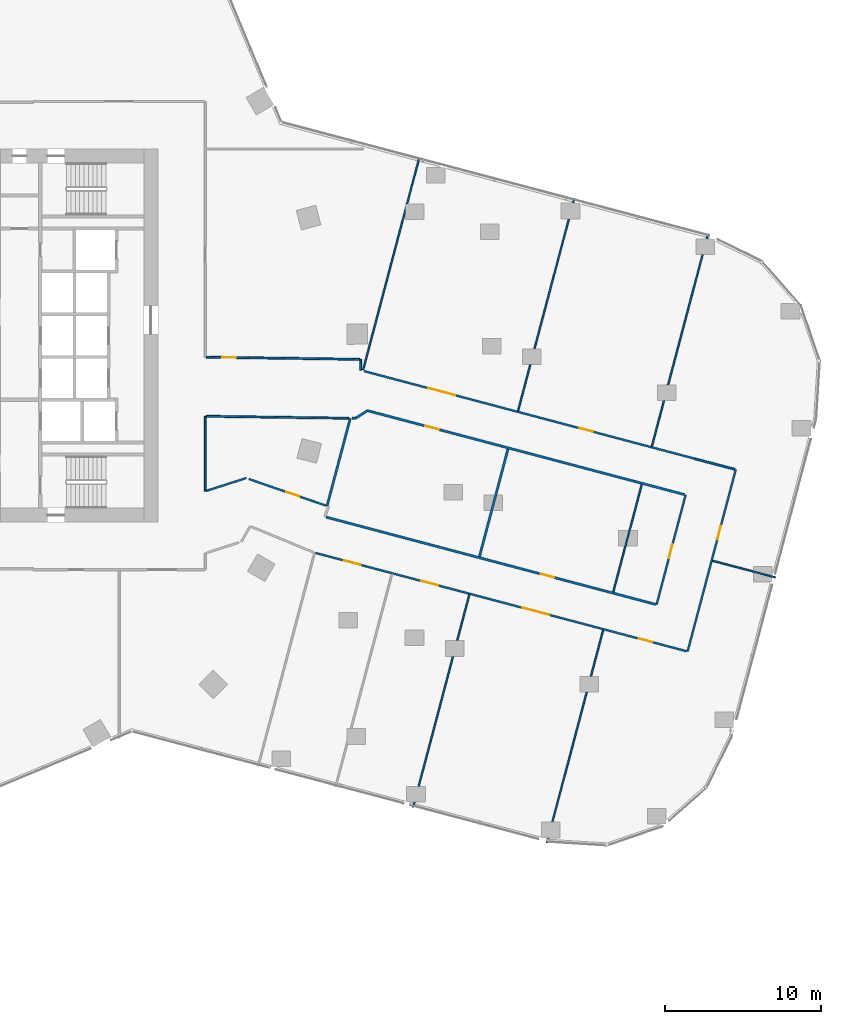
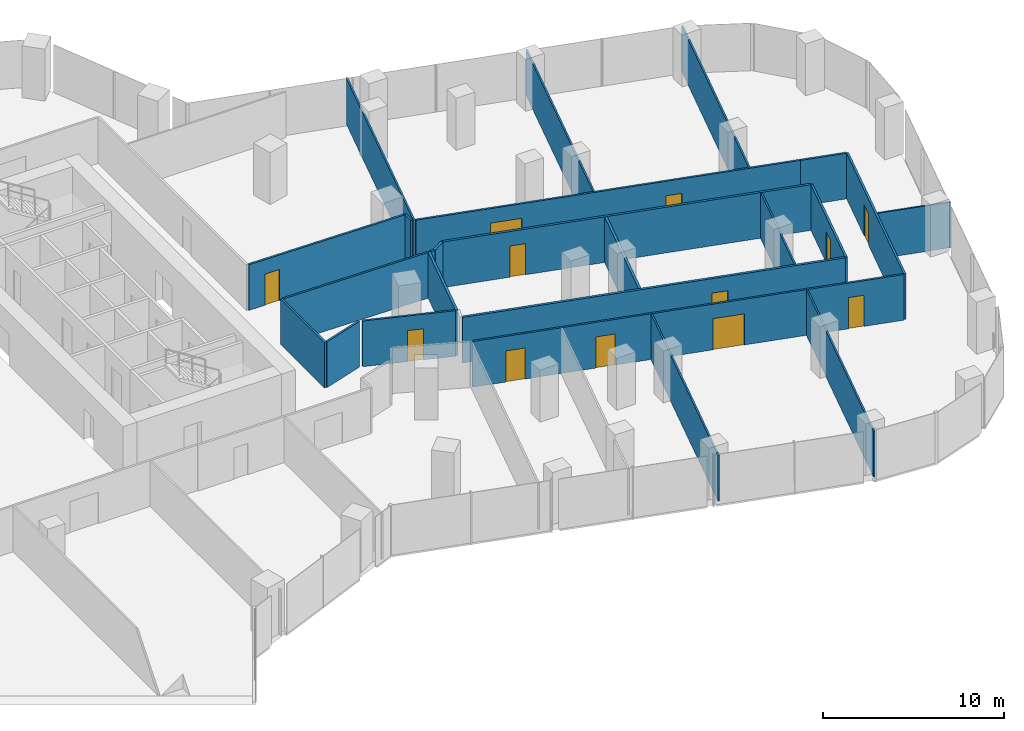
# One storey, part 29 of 34: 24 walls, 12 doors, 12 openings.
"""IFC4 building model written with IfcOpenShell, lengths in metres."""

from ifc_helpers import new_model, si_unit, direction, frame, frame_2d, origin, place, context, subcontext, project, spatial, rectangle, extrude, material, layer, layer_set, type_object, element, fill, save


model = new_model("IFC4")

# Units and contexts
model_context = context("Model", 3, precision=1e-05, world=origin(), true_north=direction((0.0, 1.0)))
body_context = subcontext(model_context, "Body", "Model", "MODEL_VIEW")
ifc_project = project(units=[si_unit("LENGTHUNIT", "METRE"), si_unit("AREAUNIT", "SQUARE_METRE"), si_unit("VOLUMEUNIT", "CUBIC_METRE"), si_unit("PLANEANGLEUNIT", "RADIAN"), si_unit("MASSUNIT", "GRAM", prefix="KILO")], contexts=[model_context])

# Site, building, storey
site_placement = place(None, origin())
site = spatial("IfcSite", under=ifc_project, at=site_placement, CompositionType="ELEMENT")
building_placement = place(site_placement, origin())
building = spatial("IfcBuilding", under=site, at=building_placement, Name="Orlundy Tower", CompositionType="ELEMENT")
storey_placement = place(building_placement, frame((0.0, 0.0, 112.699951171875)))
storey = spatial("IfcBuildingStorey", under=building, at=storey_placement, Name="L28", CompositionType="ELEMENT", Elevation=112.699951171875)

# Walls
ifc_material_1 = material(Name="Gypsum board partition")
ifc_layer_1 = layer(ifc_material_1, 0.10009765625)
ifc_layer_set_1 = layer_set([ifc_layer_1], Name="Floor partition 100")
wall_type_1 = type_object("IfcWallType", Name="Floor partition 100", PredefinedType="PARTITIONING", material=ifc_layer_set_1)
wall_1_placement = place(storey_placement, frame((54.677978515625, -14.47998046875, 0.0), z_axis=(0.0, 0.0, 1.0), x_axis=(0.966677650958, -0.255996717047, 0.0)))
element("IfcWall", 1, at=wall_1_placement, inside=storey, type_object=wall_type_1, Name="wall-int-L28-023", PredefinedType="PARTITIONING", context=body_context, shape_type="SweptSolid", body=[
    extrude(rectangle(XDim=4.187744140625, YDim=0.10009765625, at=frame_2d((2.09375, 0.0))), origin(), (0.0, 0.0, 1.0), 3.080078125),
])
wall_2_placement = place(storey_placement, frame((44.01904296875, -32.60595703125, 0.0), z_axis=(0.0, 0.0, 1.0), x_axis=(0.25603399679, 0.966667777723, 0.0)))
element("IfcWall", 2, at=wall_2_placement, inside=storey, type_object=wall_type_1, Name="wall-int-L28-059", PredefinedType="PARTITIONING", context=body_context, shape_type="SweptSolid", body=[
    extrude(rectangle(XDim=14.13818359375, YDim=0.10009765625, at=frame_2d((7.069091796875, 0.0))), origin(), (0.0, 0.0, 1.0), 3.080078125),
])
wall_3_placement = place(storey_placement, frame((48.2880859375, -16.487060546875, 0.0), z_axis=(0.0, 0.0, 1.0), x_axis=(0.256040833757, 0.966665966841, 0.0)))
element("IfcWall", 3, at=wall_3_placement, inside=storey, type_object=wall_type_1, Name="wall-int-L28-060", PredefinedType="PARTITIONING", context=body_context, shape_type="SweptSolid", body=[
    extrude(rectangle(XDim=7.150390625, YDim=0.10009765625, at=frame_2d((3.5751953125, 0.0))), origin(), (0.0, 0.0, 1.0), 3.080078125),
])
wall_4_placement = place(storey_placement, frame((50.76904296875, -7.1220703125, 0.0), z_axis=(0.0, 0.0, 1.0), x_axis=(0.255986543434, 0.966680345089, 0.0)))
element("IfcWall", 4, at=wall_4_placement, inside=storey, type_object=wall_type_1, Name="wall-int-L28-061", PredefinedType="PARTITIONING", context=body_context, shape_type="SweptSolid", body=[
    extrude(rectangle(XDim=14.136962890625, YDim=0.10009765625, at=frame_2d((7.068359375, 0.0))), origin(), (0.0, 0.0, 1.0), 3.080078125),
])
wall_5_placement = place(storey_placement, frame((35.4169921875, -30.327880859375, 0.0), z_axis=(0.0, 0.0, 1.0), x_axis=(0.255904901066, 0.966701961108, 0.0)))
element("IfcWall", 5, at=wall_5_placement, inside=storey, type_object=wall_type_1, Name="wall-int-L28-062", PredefinedType="PARTITIONING", context=body_context, shape_type="SweptSolid", body=[
    extrude(rectangle(XDim=14.1376953125, YDim=0.10009765625, at=frame_2d((7.06884765625, 0.0))), origin(), (0.0, 0.0, 1.0), 3.080078125),
])
wall_6_placement = place(storey_placement, frame((42.1650390625, -4.843017578125, 0.0), z_axis=(0.0, 0.0, 1.0), x_axis=(0.255986543434, 0.966680345089, 0.0)))
element("IfcWall", 6, at=wall_6_placement, inside=storey, type_object=wall_type_1, Name="wall-int-L28-064", PredefinedType="PARTITIONING", context=body_context, shape_type="SweptSolid", body=[
    extrude(rectangle(XDim=14.136962890625, YDim=0.10009765625, at=frame_2d((7.068359375, 0.0))), origin(), (0.0, 0.0, 1.0), 3.080078125),
])
wall_7_placement = place(storey_placement, frame((32.201904296875, -2.205078125, 0.0), z_axis=(0.0, 0.0, 1.0), x_axis=(0.256002681219, 0.966676071499, 0.0)))
element("IfcWall", 7, at=wall_7_placement, inside=storey, type_object=wall_type_1, Name="wall-int-L28-068", PredefinedType="PARTITIONING", context=body_context, shape_type="SweptSolid", body=[
    extrude(rectangle(XDim=14.13720703125, YDim=0.10009765625, at=frame_2d((7.068603515625, 0.0))), origin(), (0.0, 0.0, 1.0), 3.080078125),
])

# Wall, opening, door
ifc_material_2 = material(Name="Gypsum board partition, double layer")
ifc_layer_2 = layer(ifc_material_2, 0.125)
ifc_layer_set_2 = layer_set([ifc_layer_2], Name="Floor partition 125")
wall_type_2 = type_object("IfcWallType", Name="Floor partition 125", PredefinedType="PARTITIONING", material=ifc_layer_set_2)
wall_8_placement = place(storey_placement, frame((24.85888671875, -9.22509765625, 0.0), z_axis=(0.0, 0.0, 1.0), x_axis=(0.945256069843, -0.326329530421, 0.0)))
wall_8 = element("IfcWall", 8, at=wall_8_placement, inside=storey, type_object=wall_type_2, Name="wall-int-L28-019", PredefinedType="PARTITIONING", context=body_context, shape_type="SweptSolid", body=[
    extrude(rectangle(XDim=5.239990234375, YDim=0.125, at=frame_2d((2.6201171875, 0.0))), origin(), (0.0, 0.0, 1.0), 3.080078125),
])
opening_1_placement = place(wall_8_placement, frame((2.53271484375, 0.0, 0.0)))
opening_1 = element("IfcOpeningElement", 9, at=opening_1_placement, cuts=wall_8, Name="Opening 21126", PredefinedType="OPENING", context=body_context, shape_type="SweptSolid", body=[
    extrude(rectangle(XDim=0.89990234375, YDim=2.10009765625, at=frame_2d((0.449951171875, 1.050048828125))), frame((0.0, 0.072509765625, 0.0), z_axis=(0.0, -1.0, 0.0), x_axis=(1.0, 0.0, 0.0)), (0.0, 0.0, 1.0), 0.14501953125),
])
ifc_material_3 = material(Name="Timber door leaf", Category="wood")
door_type_1 = type_object("IfcDoorType", Name="Floor door single 900 FD30S", OperationType="NOTDEFINED", PredefinedType="DOOR", material=ifc_material_3)
door_1_placement = place(opening_1_placement, origin())
door_1 = element("IfcDoor", 10, at=door_1_placement, inside=storey, type_object=door_type_1, Name="Door 21126", OperationType="SINGLE_SWING_RIGHT", OverallHeight=2.10009765625, OverallWidth=0.89990234375, PredefinedType="DOOR", context=body_context, shape_type="SweptSolid", body=[
    extrude(rectangle(XDim=0.89990234375, YDim=2.10009765625, at=frame_2d((0.449951171875, 1.050048828125))), frame((0.0, 0.02490234375, 0.0), z_axis=(0.0, -1.0, 0.0), x_axis=(1.0, 0.0, 0.0)), (0.0, 0.0, 1.0), 0.050048828125),
])
fill(opening_1, door_1)

# Wall
wall_9_placement = place(storey_placement, frame((56.10595703125, -8.60009765625, 0.0), z_axis=(0.0, 0.0, 1.0), x_axis=(-0.966610224472, 0.256251193065, 0.0)))
element("IfcWall", 11, at=wall_9_placement, inside=storey, type_object=wall_type_2, Name="wall-int-L28-020", PredefinedType="PARTITIONING", context=body_context, shape_type="SweptSolid", body=[
    extrude(rectangle(XDim=2.63818359375, YDim=0.125, at=frame_2d((1.319091796875, 0.0))), origin(), (0.0, 0.0, 1.0), 3.080078125),
])

# Wall, openings, doors
wall_10_placement = place(storey_placement, frame((53.007080078125, -20.299072265625, 0.0), z_axis=(0.0, 0.0, 1.0), x_axis=(-0.966653562273, 0.256087661835, 0.0)))
wall_10 = element("IfcWall", 12, at=wall_10_placement, inside=storey, type_object=wall_type_2, Name="wall-int-L28-021", PredefinedType="PARTITIONING", context=body_context, shape_type="SweptSolid", body=[
    extrude(rectangle(XDim=24.694580078125, YDim=0.125, at=frame_2d((12.34716796875, 0.0))), origin(), (0.0, 0.0, 1.0), 3.080078125),
])
opening_2_placement = place(wall_10_placement, frame((2.287353515625, 0.0, 0.0)))
opening_2 = element("IfcOpeningElement", 13, at=opening_2_placement, cuts=wall_10, Name="Opening 21106", PredefinedType="OPENING", context=body_context, shape_type="SweptSolid", body=[
    extrude(rectangle(XDim=0.89990234375, YDim=2.10009765625, at=frame_2d((0.449951171875, 1.050048828125))), frame((0.0, 0.072509765625, 0.0), z_axis=(0.0, -1.0, 0.0), x_axis=(1.0, 0.0, 0.0)), (0.0, 0.0, 1.0), 0.14501953125),
])
opening_3_placement = place(wall_10_placement, frame((21.690185546875, 0.0, 0.0)))
opening_3 = element("IfcOpeningElement", 14, at=opening_3_placement, cuts=wall_10, Name="Opening 21107", PredefinedType="OPENING", context=body_context, shape_type="SweptSolid", body=[
    extrude(rectangle(XDim=1.10009765625, YDim=2.10009765625, at=frame_2d((0.550048828125, 1.050048828125))), frame((0.0, 0.072509765625, 0.0), z_axis=(0.0, -1.0, 0.0), x_axis=(1.0, 0.0, 0.0)), (0.0, 0.0, 1.0), 0.14501953125),
])
opening_4_placement = place(wall_10_placement, frame((16.53759765625, 0.0, 0.0)))
opening_4 = element("IfcOpeningElement", 15, at=opening_4_placement, cuts=wall_10, Name="Opening 21108", PredefinedType="OPENING", context=body_context, shape_type="SweptSolid", body=[
    extrude(rectangle(XDim=1.10009765625, YDim=2.10009765625, at=frame_2d((0.550048828125, 1.050048828125))), frame((0.0, 0.072509765625, 0.0), z_axis=(0.0, -1.0, 0.0), x_axis=(1.0, 0.0, 0.0)), (0.0, 0.0, 1.0), 0.14501953125),
])
opening_5_placement = place(wall_10_placement, frame((9.136962890625, 0.0, 0.0)))
opening_5 = element("IfcOpeningElement", 16, at=opening_5_placement, cuts=wall_10, Name="Opening 21109", PredefinedType="OPENING", context=body_context, shape_type="SweptSolid", body=[
    extrude(rectangle(XDim=1.800048828125, YDim=2.10009765625, at=frame_2d((0.89990234375, 1.050048828125))), frame((0.0, 0.072509765625, 0.0), z_axis=(0.0, -1.0, 0.0), x_axis=(1.0, 0.0, 0.0)), (0.0, 0.0, 1.0), 0.14501953125),
])
ifc_material_4 = material(Name="Timber door leaf", Category="wood")
door_type_2 = type_object("IfcDoorType", Name="Floor door double 1800 FD30S", OperationType="NOTDEFINED", PredefinedType="DOOR", material=ifc_material_4)
door_2_placement = place(opening_5_placement, origin())
door_2 = element("IfcDoor", 17, at=door_2_placement, inside=storey, type_object=door_type_2, Name="Door 21109", OperationType="DOUBLE_DOOR_SINGLE_SWING", OverallHeight=2.10009765625, OverallWidth=1.800048828125, PredefinedType="DOOR", context=body_context, shape_type="SweptSolid", body=[
    extrude(rectangle(XDim=1.800048828125, YDim=2.10009765625, at=frame_2d((0.89990234375, 1.050048828125))), frame((0.0, 0.02490234375, 0.0), z_axis=(0.0, -1.0, 0.0), x_axis=(1.0, 0.0, 0.0)), (0.0, 0.0, 1.0), 0.050048828125),
])
fill(opening_5, door_2)
door_3_placement = place(opening_2_placement, origin())
door_3 = element("IfcDoor", 18, at=door_3_placement, inside=storey, type_object=door_type_1, Name="Door 21106", OperationType="SINGLE_SWING_LEFT", OverallHeight=2.10009765625, OverallWidth=0.89990234375, PredefinedType="DOOR", context=body_context, shape_type="SweptSolid", body=[
    extrude(rectangle(XDim=0.89990234375, YDim=2.10009765625, at=frame_2d((0.449951171875, 1.050048828125))), frame((0.0, 0.02490234375, 0.0), z_axis=(0.0, -1.0, 0.0), x_axis=(1.0, 0.0, 0.0)), (0.0, 0.0, 1.0), 0.050048828125),
])
fill(opening_2, door_3)
ifc_material_5 = material(Name="Timber door leaf", Category="wood")
door_type_3 = type_object("IfcDoorType", Name="Floor door xwide 1100 FD30S", OperationType="NOTDEFINED", PredefinedType="DOOR", material=ifc_material_5)
door_4_placement = place(opening_3_placement, origin())
door_4 = element("IfcDoor", 19, at=door_4_placement, inside=storey, type_object=door_type_3, Name="Door 21107", OperationType="SINGLE_SWING_RIGHT", OverallHeight=2.10009765625, OverallWidth=1.10009765625, PredefinedType="DOOR", context=body_context, shape_type="SweptSolid", body=[
    extrude(rectangle(XDim=1.10009765625, YDim=2.10009765625, at=frame_2d((0.550048828125, 1.050048828125))), frame((0.0, 0.02490234375, 0.0), z_axis=(0.0, -1.0, 0.0), x_axis=(1.0, 0.0, 0.0)), (0.0, 0.0, 1.0), 0.050048828125),
])
fill(opening_3, door_4)
door_5_placement = place(opening_4_placement, origin())
door_5 = element("IfcDoor", 20, at=door_5_placement, inside=storey, type_object=door_type_3, Name="Door 21108", OperationType="SINGLE_SWING_RIGHT", OverallHeight=2.10009765625, OverallWidth=1.10009765625, PredefinedType="DOOR", context=body_context, shape_type="SweptSolid", body=[
    extrude(rectangle(XDim=1.10009765625, YDim=2.10009765625, at=frame_2d((0.550048828125, 1.050048828125))), frame((0.0, 0.02490234375, 0.0), z_axis=(0.0, -1.0, 0.0), x_axis=(1.0, 0.0, 0.0)), (0.0, 0.0, 1.0), 0.050048828125),
])
fill(opening_4, door_5)

wall_11_placement = place(storey_placement, frame((32.262939453125, -2.285888671875, 0.0), z_axis=(0.0, 0.0, 1.0), x_axis=(0.966698776393, -0.255916931288, 0.0)))
wall_11 = element("IfcWall", 21, at=wall_11_placement, inside=storey, type_object=wall_type_2, Name="wall-int-L28-025", PredefinedType="PARTITIONING", context=body_context, shape_type="SweptSolid", body=[
    extrude(rectangle(XDim=22.027587890625, YDim=0.125, at=frame_2d((11.013671875, 0.0))), origin(), (0.0, 0.0, 1.0), 3.080078125),
])
opening_6_placement = place(wall_11_placement, frame((4.27001953125, 0.0, 0.0)))
opening_6 = element("IfcOpeningElement", 22, at=opening_6_placement, cuts=wall_11, Name="Opening 21100", PredefinedType="OPENING", context=body_context, shape_type="SweptSolid", body=[
    extrude(rectangle(XDim=1.800048828125, YDim=2.10009765625, at=frame_2d((0.89990234375, 1.050048828125))), frame((0.0, 0.072509765625, 0.0), z_axis=(0.0, -1.0, 0.0), x_axis=(1.0, 0.0, 0.0)), (0.0, 0.0, 1.0), 0.14501953125),
])
opening_7_placement = place(wall_11_placement, frame((14.326171875, 0.0, 0.0)))
opening_7 = element("IfcOpeningElement", 23, at=opening_7_placement, cuts=wall_11, Name="Opening 21101", PredefinedType="OPENING", context=body_context, shape_type="SweptSolid", body=[
    extrude(rectangle(XDim=0.89990234375, YDim=2.10009765625, at=frame_2d((0.449951171875, 1.050048828125))), frame((0.0, 0.072509765625, 0.0), z_axis=(0.0, -1.0, 0.0), x_axis=(1.0, 0.0, 0.0)), (0.0, 0.0, 1.0), 0.14501953125),
])
door_6_placement = place(opening_6_placement, origin())
door_6 = element("IfcDoor", 24, at=door_6_placement, inside=storey, type_object=door_type_2, Name="Door 21100", OperationType="DOUBLE_DOOR_SINGLE_SWING", OverallHeight=2.10009765625, OverallWidth=1.800048828125, PredefinedType="DOOR", context=body_context, shape_type="SweptSolid", body=[
    extrude(rectangle(XDim=1.800048828125, YDim=2.10009765625, at=frame_2d((0.89990234375, 1.050048828125))), frame((0.0, 0.02490234375, 0.0), z_axis=(0.0, -1.0, 0.0), x_axis=(1.0, 0.0, 0.0)), (0.0, 0.0, 1.0), 0.050048828125),
])
fill(opening_6, door_6)
door_7_placement = place(opening_7_placement, origin())
door_7 = element("IfcDoor", 25, at=door_7_placement, inside=storey, type_object=door_type_1, Name="Door 21101", OperationType="SINGLE_SWING_RIGHT", OverallHeight=2.10009765625, OverallWidth=0.89990234375, PredefinedType="DOOR", context=body_context, shape_type="SweptSolid", body=[
    extrude(rectangle(XDim=0.89990234375, YDim=2.10009765625, at=frame_2d((0.449951171875, 1.050048828125))), frame((0.0, 0.02490234375, 0.0), z_axis=(0.0, -1.0, 0.0), x_axis=(1.0, 0.0, 0.0)), (0.0, 0.0, 1.0), 0.050048828125),
])
fill(opening_7, door_7)

# Wall
wall_12_placement = place(storey_placement, frame((22.113037109375, -5.18896484375, 0.0), z_axis=(0.0, 0.0, 1.0), x_axis=(0.99990421927, -0.013840241536, 0.0)))
element("IfcWall", 26, at=wall_12_placement, inside=storey, type_object=wall_type_2, Name="wall-int-L28-029", PredefinedType="PARTITIONING", context=body_context, shape_type="SweptSolid", body=[
    extrude(rectangle(XDim=9.1728515625, YDim=0.125, at=frame_2d((4.58642578125, 0.0))), origin(), (0.0, 0.0, 1.0), 3.080078125),
])

# Wall, opening, door
wall_13_placement = place(storey_placement, frame((22.113037109375, -1.386962890625, 0.0), z_axis=(0.0, 0.0, 1.0), x_axis=(0.999897954627, -0.01428566882, 0.0)))
wall_13 = element("IfcWall", 27, at=wall_13_placement, inside=storey, type_object=wall_type_2, Name="wall-int-L28-030", PredefinedType="PARTITIONING", context=body_context, shape_type="SweptSolid", body=[
    extrude(rectangle(XDim=9.8779296875, YDim=0.125, at=frame_2d((4.93896484375, 0.0))), origin(), (0.0, 0.0, 1.0), 3.080078125),
])
opening_8_placement = place(wall_13_placement, frame((1.03759765625, 0.0, 0.0)))
opening_8 = element("IfcOpeningElement", 28, at=opening_8_placement, cuts=wall_13, Name="Opening 21128", PredefinedType="OPENING", context=body_context, shape_type="SweptSolid", body=[
    extrude(rectangle(XDim=0.89990234375, YDim=2.10009765625, at=frame_2d((0.449951171875, 1.050048828125))), frame((0.0, 0.072509765625, 0.0), z_axis=(0.0, -1.0, 0.0), x_axis=(1.0, 0.0, 0.0)), (0.0, 0.0, 1.0), 0.14501953125),
])
door_8_placement = place(opening_8_placement, origin())
door_8 = element("IfcDoor", 29, at=door_8_placement, inside=storey, type_object=door_type_1, Name="Door 21128", OperationType="SINGLE_SWING_LEFT", OverallHeight=2.10009765625, OverallWidth=0.89990234375, PredefinedType="DOOR", context=body_context, shape_type="SweptSolid", body=[
    extrude(rectangle(XDim=0.89990234375, YDim=2.10009765625, at=frame_2d((0.449951171875, 1.050048828125))), frame((0.0, 0.02490234375, 0.0), z_axis=(0.0, -1.0, 0.0), x_axis=(1.0, 0.0, 0.0)), (0.0, 0.0, 1.0), 0.050048828125),
])
fill(opening_8, door_8)

# Wall
wall_14_placement = place(storey_placement, frame((22.133056640625, -9.98095703125, 0.0), z_axis=(0.0, 0.0, 1.0), x_axis=(0.952218321785, 0.305418184882, 0.0)))
element("IfcWall", 30, at=wall_14_placement, inside=storey, type_object=wall_type_2, Name="wall-int-L28-044", PredefinedType="PARTITIONING", context=body_context, shape_type="SweptSolid", body=[
    extrude(rectangle(XDim=2.674560546875, YDim=0.125, at=frame_2d((1.33740234375, 0.0))), origin(), (0.0, 0.0, 1.0), 3.080078125),
])

# Wall, opening, door
wall_15_placement = place(storey_placement, frame((56.1650390625, -8.615966796875, 0.0), z_axis=(0.0, 0.0, 1.0), x_axis=(-0.255867603739, -0.966711833669, 0.0)))
wall_15 = element("IfcWall", 31, at=wall_15_placement, inside=storey, type_object=wall_type_2, Name="wall-int-L28-057", PredefinedType="PARTITIONING", context=body_context, shape_type="SweptSolid", body=[
    extrude(rectangle(XDim=12.099853515625, YDim=0.125, at=frame_2d((6.0498046875, 0.0))), origin(), (0.0, 0.0, 1.0), 3.080078125),
])
opening_9_placement = place(wall_15_placement, frame((3.75, 0.0, 0.0)))
opening_9 = element("IfcOpeningElement", 32, at=opening_9_placement, cuts=wall_15, Name="Opening 21105", PredefinedType="OPENING", context=body_context, shape_type="SweptSolid", body=[
    extrude(rectangle(XDim=0.89990234375, YDim=2.10009765625, at=frame_2d((0.449951171875, 1.050048828125))), frame((0.0, 0.072509765625, 0.0), z_axis=(0.0, -1.0, 0.0), x_axis=(1.0, 0.0, 0.0)), (0.0, 0.0, 1.0), 0.14501953125),
])
door_9_placement = place(opening_9_placement, origin())
door_9 = element("IfcDoor", 33, at=door_9_placement, inside=storey, type_object=door_type_1, Name="Door 21105", OperationType="SINGLE_SWING_LEFT", OverallHeight=2.10009765625, OverallWidth=0.89990234375, PredefinedType="DOOR", context=body_context, shape_type="SweptSolid", body=[
    extrude(rectangle(XDim=0.89990234375, YDim=2.10009765625, at=frame_2d((0.449951171875, 1.050048828125))), frame((0.0, 0.02490234375, 0.0), z_axis=(0.0, -1.0, 0.0), x_axis=(1.0, 0.0, 0.0)), (0.0, 0.0, 1.0), 0.050048828125),
])
fill(opening_9, door_9)

wall_16_placement = place(storey_placement, frame((51.072021484375, -17.301025390625, 0.0), z_axis=(0.0, 0.0, 1.0), x_axis=(0.256040569916, 0.966666036725, 0.0)))
wall_16 = element("IfcWall", 34, at=wall_16_placement, inside=storey, type_object=wall_type_2, Name="wall-int-L28-058", PredefinedType="PARTITIONING", context=body_context, shape_type="SweptSolid", body=[
    extrude(rectangle(XDim=7.29931640625, YDim=0.125, at=frame_2d((3.649658203125, 0.0))), origin(), (0.0, 0.0, 1.0), 3.080078125),
])
opening_10_placement = place(wall_16_placement, frame((3.10009765625, 0.0, 0.0)))
opening_10 = element("IfcOpeningElement", 35, at=opening_10_placement, cuts=wall_16, Name="Opening 21104", PredefinedType="OPENING", context=body_context, shape_type="SweptSolid", body=[
    extrude(rectangle(XDim=0.89990234375, YDim=2.10009765625, at=frame_2d((0.449951171875, 1.050048828125))), frame((0.0, 0.072509765625, 0.0), z_axis=(0.0, -1.0, 0.0), x_axis=(1.0, 0.0, 0.0)), (0.0, 0.0, 1.0), 0.14501953125),
])
door_10_placement = place(opening_10_placement, origin())
door_10 = element("IfcDoor", 36, at=door_10_placement, inside=storey, type_object=door_type_1, Name="Door 21104", OperationType="SINGLE_SWING_LEFT", OverallHeight=2.10009765625, OverallWidth=0.89990234375, PredefinedType="DOOR", context=body_context, shape_type="SweptSolid", body=[
    extrude(rectangle(XDim=0.89990234375, YDim=2.10009765625, at=frame_2d((0.449951171875, 1.050048828125))), frame((0.0, 0.02490234375, 0.0), z_axis=(0.0, -1.0, 0.0), x_axis=(1.0, 0.0, 0.0)), (0.0, 0.0, 1.0), 0.050048828125),
])
fill(opening_10, door_10)

# Walls
wall_17_placement = place(storey_placement, frame((32.0439453125, -2.22705078125, 0.0), z_axis=(0.0, 0.0, 1.0), x_axis=(0.01290440153, 0.999916734744, 0.0)))
element("IfcWall", 37, at=wall_17_placement, inside=storey, type_object=wall_type_2, Name="wall-int-L28-072", PredefinedType="PARTITIONING", context=body_context, shape_type="SweptSolid", body=[
    extrude(rectangle(XDim=0.699951171875, YDim=0.125, at=frame_2d((0.35009765625, 0.0))), origin(), (0.0, 0.0, 1.0), 3.080078125),
])
wall_18_placement = place(storey_placement, frame((22.051025390625, -10.007080078125, 0.0), z_axis=(0.0, 0.0, 1.0), x_axis=(0.0, 1.0, 0.0)))
element("IfcWall", 38, at=wall_18_placement, inside=storey, type_object=wall_type_2, Name="wall-int-L28-074", PredefinedType="PARTITIONING", context=body_context, shape_type="SweptSolid", body=[
    extrude(rectangle(XDim=4.819091796875, YDim=0.125, at=frame_2d((2.40966796875, 0.0))), origin(), (0.0, 0.0, 1.0), 3.080078125),
])

# Wall, opening, door
ifc_material_6 = material(Name="Blockwork shaft wall", Category="masonry")
ifc_layer_3 = layer(ifc_material_6, 0.14990234375)
ifc_layer_set_3 = layer_set([ifc_layer_3], Name="Floor shaft wall 150")
wall_type_3 = type_object("IfcWallType", Name="Floor shaft wall 150", PredefinedType="PARTITIONING", material=ifc_layer_set_3)
wall_19_placement = place(storey_placement, frame((29.819091796875, -11.672119140625, 0.0), z_axis=(0.0, 0.0, 1.0), x_axis=(0.966680429276, -0.255986225517, 0.0)))
wall_19 = element("IfcWall", 39, at=wall_19_placement, inside=storey, type_object=wall_type_3, Name="wall-int-L28-022", PredefinedType="PARTITIONING", context=body_context, shape_type="SweptSolid", body=[
    extrude(rectangle(XDim=21.92236328125, YDim=0.14990234375, at=frame_2d((10.961181640625, 0.0))), origin(), (0.0, 0.0, 1.0), 3.080078125),
])
opening_11_placement = place(wall_19_placement, frame((14.286865234375, 0.0, 0.0)))
opening_11 = element("IfcOpeningElement", 40, at=opening_11_placement, cuts=wall_19, Name="Opening 21103", PredefinedType="OPENING", context=body_context, shape_type="SweptSolid", body=[
    extrude(rectangle(XDim=0.89990234375, YDim=2.10009765625, at=frame_2d((0.449951171875, 1.050048828125))), frame((0.0, 0.0849609375, 0.0), z_axis=(0.0, -1.0, 0.0), x_axis=(1.0, 0.0, 0.0)), (0.0, 0.0, 1.0), 0.169921875),
])
ifc_material_7 = material(Name="Timber door leaf", Category="wood")
door_type_4 = type_object("IfcDoorType", Name="Floor door single 900 FD60", OperationType="NOTDEFINED", PredefinedType="DOOR", material=ifc_material_7)
door_11_placement = place(opening_11_placement, origin())
door_11 = element("IfcDoor", 41, at=door_11_placement, inside=storey, type_object=door_type_4, Name="Door 21103", OperationType="SINGLE_SWING_RIGHT", OverallHeight=2.10009765625, OverallWidth=0.89990234375, PredefinedType="DOOR", context=body_context, shape_type="SweptSolid", body=[
    extrude(rectangle(XDim=0.89990234375, YDim=2.10009765625, at=frame_2d((0.449951171875, 1.050048828125))), frame((0.0, 0.02490234375, 0.0), z_axis=(0.0, -1.0, 0.0), x_axis=(1.0, 0.0, 0.0)), (0.0, 0.0, 1.0), 0.050048828125),
])
fill(opening_11, door_11)

wall_20_placement = place(storey_placement, frame((52.881103515625, -10.22802734375, 0.0), z_axis=(0.0, 0.0, 1.0), x_axis=(-0.966683420864, 0.255974928122, 0.0)))
wall_20 = element("IfcWall", 42, at=wall_20_placement, inside=storey, type_object=wall_type_3, Name="wall-int-L28-024", PredefinedType="PARTITIONING", context=body_context, shape_type="SweptSolid", body=[
    extrude(rectangle(XDim=21.10009765625, YDim=0.14990234375, at=frame_2d((10.550048828125, 0.0))), origin(), (0.0, 0.0, 1.0), 3.080078125),
])
opening_12_placement = place(wall_20_placement, frame((16.3369140625, 0.0, 0.0)))
opening_12 = element("IfcOpeningElement", 43, at=opening_12_placement, cuts=wall_20, Name="Opening 21102", PredefinedType="OPENING", context=body_context, shape_type="SweptSolid", body=[
    extrude(rectangle(XDim=0.89990234375, YDim=2.10009765625, at=frame_2d((0.449951171875, 1.050048828125))), frame((0.0, 0.0849609375, 0.0), z_axis=(0.0, -1.0, 0.0), x_axis=(1.0, 0.0, 0.0)), (0.0, 0.0, 1.0), 0.169921875),
])
door_12_placement = place(opening_12_placement, origin())
door_12 = element("IfcDoor", 44, at=door_12_placement, inside=storey, type_object=door_type_4, Name="Door 21102", OperationType="SINGLE_SWING_RIGHT", OverallHeight=2.10009765625, OverallWidth=0.89990234375, PredefinedType="DOOR", context=body_context, shape_type="SweptSolid", body=[
    extrude(rectangle(XDim=0.89990234375, YDim=2.10009765625, at=frame_2d((0.449951171875, 1.050048828125))), frame((0.0, 0.02490234375, 0.0), z_axis=(0.0, -1.0, 0.0), x_axis=(1.0, 0.0, 0.0)), (0.0, 0.0, 1.0), 0.050048828125),
])
fill(opening_12, door_12)

# Walls
wall_21_placement = place(storey_placement, frame((31.472900390625, -5.320068359375, 0.0), z_axis=(0.0, 0.0, 1.0), x_axis=(0.999857302277, -0.016893048402, 0.0)))
element("IfcWall", 45, at=wall_21_placement, inside=storey, type_object=wall_type_3, Name="wall-int-L28-028", PredefinedType="PARTITIONING", context=body_context, shape_type="SweptSolid", body=[
    extrude(rectangle(XDim=0.231201171875, YDim=0.14990234375, at=frame_2d((0.11572265625, 0.0))), origin(), (0.0, 0.0, 1.0), 3.080078125),
])
wall_22_placement = place(storey_placement, frame((39.68505859375, -14.2080078125, 0.0), z_axis=(0.0, 0.0, 1.0), x_axis=(0.256072738338, 0.966657515711, 0.0)))
element("IfcWall", 46, at=wall_22_placement, inside=storey, type_object=wall_type_3, Name="wall-int-L28-063", PredefinedType="PARTITIONING", context=body_context, shape_type="SweptSolid", body=[
    extrude(rectangle(XDim=7.150634765625, YDim=0.14990234375, at=frame_2d((3.5751953125, 0.0))), origin(), (0.0, 0.0, 1.0), 3.080078125),
])
wall_23_placement = place(storey_placement, frame((29.883056640625, -10.9599609375, 0.0), z_axis=(0.0, 0.0, 1.0), x_axis=(0.256008704633, 0.966674476311, 0.0)))
element("IfcWall", 47, at=wall_23_placement, inside=storey, type_object=wall_type_3, Name="wall-int-L28-067", PredefinedType="PARTITIONING", context=body_context, shape_type="SweptSolid", body=[
    extrude(rectangle(XDim=5.83544921875, YDim=0.14990234375, at=frame_2d((2.917724609375, 0.0))), origin(), (0.0, 0.0, 1.0), 3.080078125),
])
wall_24_placement = place(storey_placement, frame((31.705078125, -5.322998046875, 0.0), z_axis=(0.0, 0.0, 1.0), x_axis=(0.84342189249, 0.537251813649, 0.0)))
element("IfcWall", 48, at=wall_24_placement, inside=storey, type_object=wall_type_3, Name="wall-int-L28-071", PredefinedType="PARTITIONING", context=body_context, shape_type="SweptSolid", body=[
    extrude(rectangle(XDim=0.92333984375, YDim=0.14990234375, at=frame_2d((0.461669921875, 0.0))), origin(), (0.0, 0.0, 1.0), 3.080078125),
])

save(model, "model.ifc")
